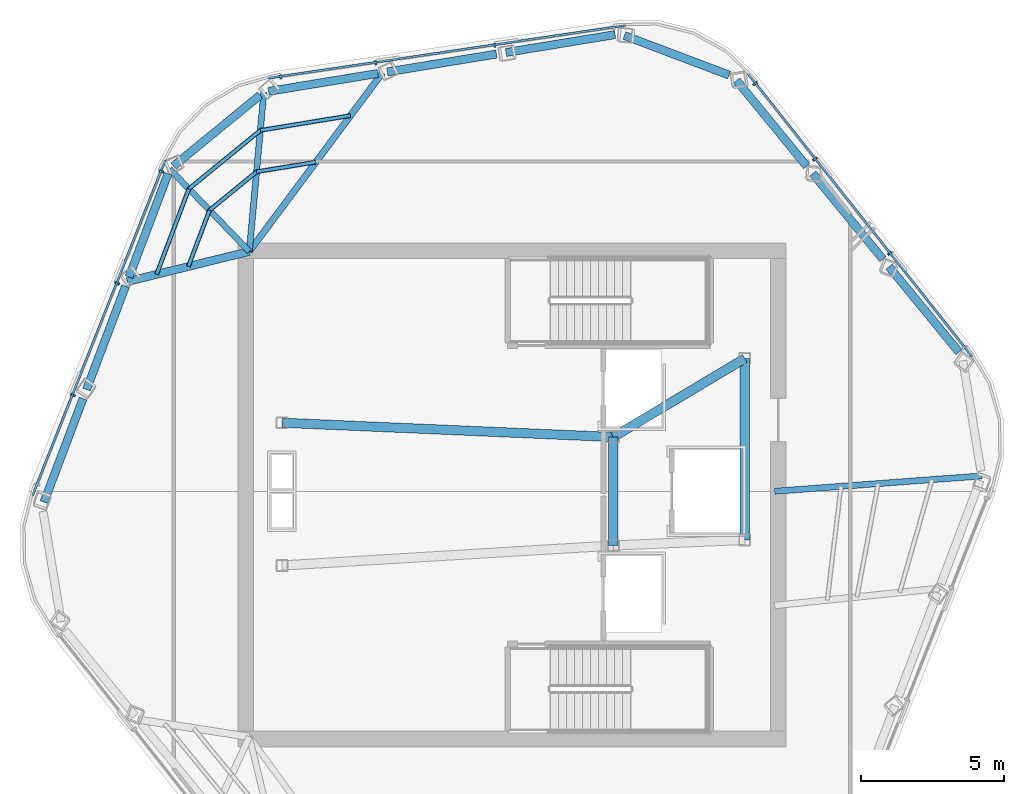
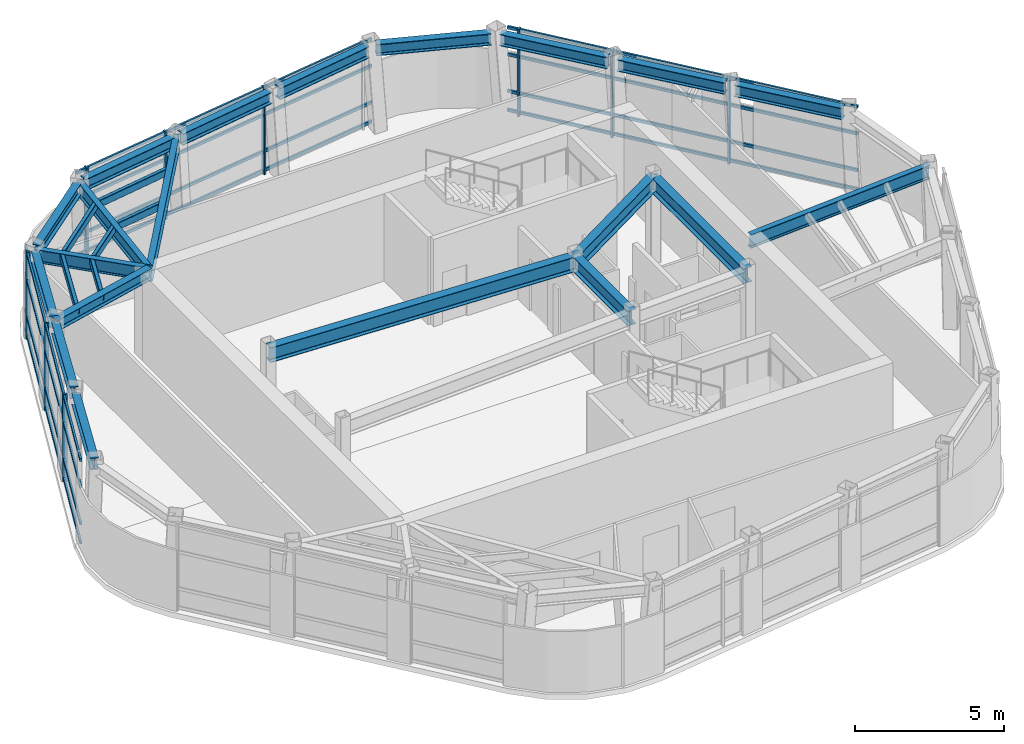
# One storey, part 3 of 9: 27 members, 20 beams, 3 elements without a shape of their own.
"""IFC4 building model written with IfcOpenShell, lengths in metres."""

from ifc_helpers import new_model, si_unit, direction, frame, origin, origin_2d, place, context, subcontext, project, spatial, rectangle, hollow_rectangle, i_section, extrude, material, layer, layer_set, material_profile, profile_set, type_object, element, aggregate, save


model = new_model("IFC4")

# Units and contexts
model_context = context("Model", 3, precision=1e-05, world=origin(), true_north=direction((0.0, 1.0)))
body_context = subcontext(model_context, "Body", "Model", "MODEL_VIEW")
ifc_project = project(units=[si_unit("LENGTHUNIT", "METRE"), si_unit("AREAUNIT", "SQUARE_METRE"), si_unit("VOLUMEUNIT", "CUBIC_METRE"), si_unit("PLANEANGLEUNIT", "RADIAN"), si_unit("MASSUNIT", "GRAM", prefix="KILO")], contexts=[model_context])

# Site, building, storey
site_placement = place(None, origin())
site = spatial("IfcSite", under=ifc_project, at=site_placement, CompositionType="ELEMENT")
building_placement = place(site_placement, origin())
building = spatial("IfcBuilding", under=site, at=building_placement, Name="Valkerne Bourse Tower", CompositionType="ELEMENT")
storey_placement = place(building_placement, frame((0.0, 0.0, 319.199951171875)))
storey = spatial("IfcBuildingStorey", under=building, at=storey_placement, Name="L81", CompositionType="ELEMENT", Elevation=319.199951171875)

# Beams
ifc_material_1 = material(Name="Steel ASTM A992", Category="steel")
ifc_material_profile_1 = material_profile(ifc_material_1, i_section(OverallWidth=0.284423828125, OverallDepth=0.47509765625, WebThickness=0.014892578125, FlangeThickness=0.02392578125, FilletRadius=0.017822265625, at=origin_2d()), Name="W18X106")
ifc_profile_set_1 = profile_set([ifc_material_profile_1], Name="Steel ASTM A992")
beam_type_1 = type_object("IfcBeamType", Name="BM-W18X106", PredefinedType="BEAM", material=ifc_profile_set_1)
for number, where, z_axis, x_axis, name in (
    (1, (50.410888671875, 42.992431640625, 3.342529296875), (-0.986855208983, -0.161606919725, 0.0), (0.161606919725, -0.986855208983, 0.0), "L81 Hexagonal Spandrel Ring Beam 00"),
    (2, (46.25439453125, 42.311767578125, 3.342529296875), (-0.986855208983, -0.161606919725, 0.0), (0.161606919725, -0.986855208983, 0.0), "L81 Hexagonal Spandrel Ring Beam 01"),
    (3, (42.09765625, 41.631103515625, 3.342529296875), (-0.986865263163, -0.161545511739, 0.0), (0.161545511739, -0.986865263163, 0.0), "L81 Hexagonal Spandrel Ring Beam 02"),
):
    element("IfcBeam", number, at=place(storey_placement, frame(where, z_axis=z_axis, x_axis=x_axis)), inside=storey, type_object=beam_type_1, Name=name, PredefinedType="BEAM", context=body_context, shape_type="SweptSolid", body=[
        extrude(i_section(OverallWidth=0.284423828125, OverallDepth=0.47509765625, WebThickness=0.014892578125, FlangeThickness=0.02392578125, FilletRadius=0.017822265625, at=origin_2d()), origin(), (0.0, 0.0, 1.0), 3.871826171875),
    ])
beam_1_placement = place(storey_placement, frame((37.977294921875, 40.870361328125, 3.342529296875), z_axis=(-0.77381838341, -0.633407538238, 0.0), x_axis=(0.633407538238, -0.77381838341, 0.0)))
element("IfcBeam", 4, at=beam_1_placement, inside=storey, type_object=beam_type_1, Name="L81 Hexagonal Spandrel Ring Beam 03", PredefinedType="BEAM", context=body_context, shape_type="SweptSolid", body=[
    extrude(i_section(OverallWidth=0.284423828125, OverallDepth=0.47509765625, WebThickness=0.014892578125, FlangeThickness=0.02392578125, FilletRadius=0.017822265625, at=origin_2d()), origin(), (0.0, 0.0, 1.0), 3.915771484375),
])
beam_2_placement = place(storey_placement, frame((34.755615234375, 38.12353515625, 3.342529296875), z_axis=(-0.353471685559, -0.935445224216, 0.0), x_axis=(0.935445224216, -0.353471685559, 0.0)))
element("IfcBeam", 5, at=beam_2_placement, inside=storey, type_object=beam_type_1, Name="L81 Hexagonal Spandrel Ring Beam 04", PredefinedType="BEAM", context=body_context, shape_type="SweptSolid", body=[
    extrude(i_section(OverallWidth=0.284423828125, OverallDepth=0.47509765625, WebThickness=0.014892578125, FlangeThickness=0.02392578125, FilletRadius=0.017822265625, at=origin_2d()), origin(), (0.0, 0.0, 1.0), 3.8720703125),
])
beam_3_placement = place(storey_placement, frame((33.2666015625, 34.183349609375, 3.342529296875), z_axis=(-0.353416509233, -0.93546607154, 0.0), x_axis=(0.93546607154, -0.353416509233, 0.0)))
element("IfcBeam", 6, at=beam_3_placement, inside=storey, type_object=beam_type_1, Name="L81 Hexagonal Spandrel Ring Beam 05", PredefinedType="BEAM", context=body_context, shape_type="SweptSolid", body=[
    extrude(i_section(OverallWidth=0.284423828125, OverallDepth=0.47509765625, WebThickness=0.014892578125, FlangeThickness=0.02392578125, FilletRadius=0.017822265625, at=origin_2d()), origin(), (0.0, 0.0, 1.0), 3.871826171875),
])
beam_4_placement = place(storey_placement, frame((31.77783203125, 30.243408203125, 3.342529296875), z_axis=(-0.353450838214, -0.935453101425, 0.0), x_axis=(0.935453101425, -0.353450838214, 0.0)))
element("IfcBeam", 7, at=beam_4_placement, inside=storey, type_object=beam_type_1, Name="L81 Hexagonal Spandrel Ring Beam 06", PredefinedType="BEAM", context=body_context, shape_type="SweptSolid", body=[
    extrude(i_section(OverallWidth=0.284423828125, OverallDepth=0.47509765625, WebThickness=0.014892578125, FlangeThickness=0.02392578125, FilletRadius=0.017822265625, at=origin_2d()), origin(), (0.0, 0.0, 1.0), 3.872314453125),
])
beam_5_placement = place(storey_placement, frame((62.455322265625, 31.869140625, 3.342529296875), z_axis=(-0.63339916281, 0.773825239025, 0.0), x_axis=(-0.773825239025, -0.63339916281, 0.0)))
element("IfcBeam", 8, at=beam_5_placement, inside=storey, type_object=beam_type_1, Name="L81 Hexagonal Spandrel Ring Beam 20", PredefinedType="BEAM", context=body_context, shape_type="SweptSolid", body=[
    extrude(i_section(OverallWidth=0.284423828125, OverallDepth=0.47509765625, WebThickness=0.014892578125, FlangeThickness=0.02392578125, FilletRadius=0.017822265625, at=origin_2d()), origin(), (0.0, 0.0, 1.0), 3.871826171875),
])
beam_6_placement = place(storey_placement, frame((59.78759765625, 35.12841796875, 3.342529296875), z_axis=(-0.633368257448, 0.773850534959, 0.0), x_axis=(-0.773850534959, -0.633368257448, 0.0)))
element("IfcBeam", 9, at=beam_6_placement, inside=storey, type_object=beam_type_1, Name="L81 Hexagonal Spandrel Ring Beam 21", PredefinedType="BEAM", context=body_context, shape_type="SweptSolid", body=[
    extrude(i_section(OverallWidth=0.284423828125, OverallDepth=0.47509765625, WebThickness=0.014892578125, FlangeThickness=0.02392578125, FilletRadius=0.017822265625, at=origin_2d()), origin(), (0.0, 0.0, 1.0), 3.8720703125),
])
beam_7_placement = place(storey_placement, frame((57.119873046875, 38.387939453125, 3.342529296875), z_axis=(-0.63339916281, 0.773825239025, 0.0), x_axis=(-0.773825239025, -0.63339916281, 0.0)))
element("IfcBeam", 10, at=beam_7_placement, inside=storey, type_object=beam_type_1, Name="L81 Hexagonal Spandrel Ring Beam 22", PredefinedType="BEAM", context=body_context, shape_type="SweptSolid", body=[
    extrude(i_section(OverallWidth=0.284423828125, OverallDepth=0.47509765625, WebThickness=0.014892578125, FlangeThickness=0.02392578125, FilletRadius=0.017822265625, at=origin_2d()), origin(), (0.0, 0.0, 1.0), 3.871826171875),
])
beam_8_placement = place(storey_placement, frame((54.400634765625, 41.57568359375, 3.342529296875), z_axis=(-0.935426738561, 0.353520603056, 0.0), x_axis=(-0.353520603056, -0.935426738561, 0.0)))
element("IfcBeam", 11, at=beam_8_placement, inside=storey, type_object=beam_type_1, Name="L81 Hexagonal Spandrel Ring Beam 23", PredefinedType="BEAM", context=body_context, shape_type="SweptSolid", body=[
    extrude(i_section(OverallWidth=0.284423828125, OverallDepth=0.47509765625, WebThickness=0.014892578125, FlangeThickness=0.02392578125, FilletRadius=0.017822265625, at=origin_2d()), origin(), (0.0, 0.0, 1.0), 3.915771484375),
])
ifc_material_profile_2 = material_profile(ifc_material_1, i_section(OverallWidth=0.279296875, OverallDepth=0.46240234375, WebThickness=0.0107421875, FlangeThickness=0.017333984375, FilletRadius=0.017822265625, at=origin_2d()), Name="W18X76")
ifc_profile_set_2 = profile_set([ifc_material_profile_2], Name="Steel ASTM A992")
beam_type_2 = type_object("IfcBeamType", Name="BM-W18X76", PredefinedType="BEAM", material=ifc_profile_set_2)
beam_9_placement = place(storey_placement, frame((33.326904296875, 34.34228515625, 3.348876953125), z_axis=(0.970710720837, 0.240251319355, 0.0), x_axis=(-0.240251319355, 0.970710720837, 0.0)))
element("IfcBeam", 12, at=beam_9_placement, inside=storey, type_object=beam_type_2, Name="L81 Radial Composite Floor Beam 05", PredefinedType="BEAM", context=body_context, shape_type="SweptSolid", body=[
    extrude(i_section(OverallWidth=0.279296875, OverallDepth=0.46240234375, WebThickness=0.0107421875, FlangeThickness=0.017333984375, FilletRadius=0.017822265625, at=origin_2d()), origin(), (0.0, 0.0, 1.0), 4.402099609375),
])
ifc_material_profile_3 = material_profile(ifc_material_1, i_section(OverallWidth=0.209228515625, OverallDepth=0.533447265625, WebThickness=0.01025390625, FlangeThickness=0.015625, FilletRadius=0.017822265625, at=origin_2d()), Name="W21X62")
ifc_profile_set_3 = profile_set([ifc_material_profile_3], Name="Steel ASTM A992")
beam_type_3 = type_object("IfcBeamType", Name="BM-W21X62", PredefinedType="JOIST", material=ifc_profile_set_3)
beam_10_placement = place(storey_placement, frame((34.815673828125, 38.282470703125, 3.313232421875), z_axis=(0.694756478637, -0.719245045442, 0.0), x_axis=(0.719245045442, 0.694756478637, 0.0)))
element("IfcBeam", 13, at=beam_10_placement, inside=storey, type_object=beam_type_3, Name="L81 Radial Composite Floor Beam 04", PredefinedType="JOIST", context=body_context, shape_type="SweptSolid", body=[
    extrude(i_section(OverallWidth=0.209228515625, OverallDepth=0.533447265625, WebThickness=0.01025390625, FlangeThickness=0.015625, FilletRadius=0.017822265625, at=origin_2d()), origin(), (0.0, 0.0, 1.0), 4.0078125),
])
ifc_material_profile_4 = material_profile(ifc_material_1, i_section(OverallWidth=0.2138671875, OverallDepth=0.548583984375, WebThickness=0.0146484375, FlangeThickness=0.023681640625, FilletRadius=0.017822265625, at=origin_2d()), Name="W21X93")
ifc_profile_set_4 = profile_set([ifc_material_profile_4], Name="Steel ASTM A992")
beam_type_4 = type_object("IfcBeamType", Name="BM-W21X93", PredefinedType="BEAM", material=ifc_profile_set_4)
beam_11_placement = place(storey_placement, frame((38.10888671875, 40.97802734375, 3.3056640625), z_axis=(-0.090834417173, -0.995866009389, 0.0), x_axis=(0.995866009389, -0.090834417173, 0.0)))
element("IfcBeam", 14, at=beam_11_placement, inside=storey, type_object=beam_type_4, Name="L81 Radial Composite Floor Beam 03", PredefinedType="BEAM", context=body_context, shape_type="SweptSolid", body=[
    extrude(i_section(OverallWidth=0.2138671875, OverallDepth=0.548583984375, WebThickness=0.0146484375, FlangeThickness=0.023681640625, FilletRadius=0.017822265625, at=origin_2d()), origin(), (0.0, 0.0, 1.0), 5.601318359375),
])
beam_12_placement = place(storey_placement, frame((63.250732421875, 27.537841796875, 3.3056640625), z_axis=(-0.997260144671, -0.073974345894, 0.0), x_axis=(0.073974345894, -0.997260144671, 0.0)))
element("IfcBeam", 15, at=beam_12_placement, inside=storey, type_object=beam_type_4, Name="L81 Radial Composite Floor Beam 19", PredefinedType="BEAM", context=body_context, shape_type="SweptSolid", body=[
    extrude(i_section(OverallWidth=0.2138671875, OverallDepth=0.548583984375, WebThickness=0.0146484375, FlangeThickness=0.023681640625, FilletRadius=0.017822265625, at=origin_2d()), origin(), (0.0, 0.0, 1.0), 7.270751953125),
])
ifc_material_profile_5 = material_profile(ifc_material_1, i_section(OverallWidth=0.3251953125, OverallDepth=0.612060546875, WebThickness=0.0126953125, FlangeThickness=0.01904296875, FilletRadius=0.020263671875, at=origin_2d()), Name="W24X104")
ifc_profile_set_5 = profile_set([ifc_material_profile_5], Name="Steel ASTM A992")
beam_type_5 = type_object("IfcBeamType", Name="BM-W24X104", PredefinedType="BEAM", material=ifc_profile_set_5)
beam_13_placement = place(storey_placement, frame((50.35009765625, 25.10009765625, 3.27392578125), z_axis=(0.0, 1.0, 0.0), x_axis=(-1.0, 0.0, 0.0)))
element("IfcBeam", 16, at=beam_13_placement, inside=storey, type_object=beam_type_5, Name="L81 Core Frame Girder CG-CE", PredefinedType="BEAM", context=body_context, shape_type="SweptSolid", body=[
    extrude(i_section(OverallWidth=0.3251953125, OverallDepth=0.612060546875, WebThickness=0.0126953125, FlangeThickness=0.01904296875, FilletRadius=0.020263671875, at=origin_2d()), origin(), (0.0, 0.0, 1.0), 3.7998046875),
])
beam_14_placement = place(storey_placement, frame((50.35009765625, 28.89990234375, 3.27392578125), z_axis=(0.858307823492, 0.513135148019, 0.0), x_axis=(-0.513135148019, 0.858307823492, 0.0)))
element("IfcBeam", 17, at=beam_14_placement, inside=storey, type_object=beam_type_5, Name="L81 Core Frame Girder CG-NE", PredefinedType="BEAM", context=body_context, shape_type="SweptSolid", body=[
    extrude(i_section(OverallWidth=0.3251953125, OverallDepth=0.612060546875, WebThickness=0.0126953125, FlangeThickness=0.01904296875, FilletRadius=0.020263671875, at=origin_2d()), origin(), (0.0, 0.0, 1.0), 5.359130859375),
])
beam_15_placement = place(storey_placement, frame((54.949951171875, 25.300048828125, 3.27392578125), z_axis=(0.0, 1.0, 0.0), x_axis=(-1.0, 0.0, 0.0)))
element("IfcBeam", 18, at=beam_15_placement, inside=storey, type_object=beam_type_5, Name="L81 Core Frame Girder CG-EE", PredefinedType="BEAM", context=body_context, shape_type="SweptSolid", body=[
    extrude(i_section(OverallWidth=0.3251953125, OverallDepth=0.612060546875, WebThickness=0.0126953125, FlangeThickness=0.01904296875, FilletRadius=0.020263671875, at=origin_2d()), origin(), (0.0, 0.0, 1.0), 6.349853515625),
])
beam_16_placement = place(storey_placement, frame((38.75, 29.39990234375, 3.27392578125), z_axis=(0.999072354402, -0.043063101019, 0.0), x_axis=(0.043063101019, 0.999072354402, 0.0)))
element("IfcBeam", 19, at=beam_16_placement, inside=storey, type_object=beam_type_5, Name="L81 Core Frame Girder CG-NW", PredefinedType="BEAM", context=body_context, shape_type="SweptSolid", body=[
    extrude(i_section(OverallWidth=0.3251953125, OverallDepth=0.612060546875, WebThickness=0.0126953125, FlangeThickness=0.01904296875, FilletRadius=0.020263671875, at=origin_2d()), origin(), (0.0, 0.0, 1.0), 11.61083984375),
])
ifc_material_profile_6 = material_profile(ifc_material_1, i_section(OverallWidth=0.228271484375, OverallDepth=0.607177734375, WebThickness=0.01123046875, FlangeThickness=0.017333984375, FilletRadius=0.017822265625, at=origin_2d()), Name="W24X76")
ifc_profile_set_6 = profile_set([ifc_material_profile_6], Name="Steel ASTM A992")
beam_type_6 = type_object("IfcBeamType", Name="BM-W24X76", PredefinedType="JOIST", material=ifc_profile_set_6)
beam_17_placement = place(storey_placement, frame((42.265380859375, 41.65869140625, 3.2763671875), z_axis=(-0.597635491061, -0.801767933897, 0.0), x_axis=(0.801767933897, -0.597635491061, 0.0)))
element("IfcBeam", 20, at=beam_17_placement, inside=storey, type_object=beam_type_6, Name="L81 Radial Composite Floor Beam 02", PredefinedType="JOIST", context=body_context, shape_type="SweptSolid", body=[
    extrude(i_section(OverallWidth=0.228271484375, OverallDepth=0.607177734375, WebThickness=0.01123046875, FlangeThickness=0.017333984375, FilletRadius=0.017822265625, at=origin_2d()), origin(), (0.0, 0.0, 1.0), 7.80615234375),
])

# Curtain wall, members
ifc_material_2 = material(Name="Aluminium AA 6063-T6", Category="aluminium")
ifc_layer = layer(ifc_material_2, 0.25)
ifc_layer_set = layer_set([ifc_layer], Name="Aluminium AA 6063-T6")
curtain_wall_type = type_object("IfcCurtainWallType", Name="CW-06", PredefinedType="NOTDEFINED", material=ifc_layer_set)
curtain_wall_1_placement = place(storey_placement, origin())
curtain_wall_1 = element("IfcCurtainWall", 21, at=curtain_wall_1_placement, inside=storey, type_object=curtain_wall_type, Name="L81 Hexagonal Stick Curtain Wall Face 1", PredefinedType="NOTDEFINED")
ifc_material_profile_7 = material_profile(ifc_material_2, rectangle(XDim=0.074951171875, YDim=0.159912109375, at=origin_2d()), Name="CWM-75X160")
ifc_profile_set_7 = profile_set([ifc_material_profile_7], Name="Aluminium AA 6063-T6")
member_type_1 = type_object("IfcMemberType", Name="CW-MUL-160X75", PredefinedType="MULLION", material=ifc_profile_set_7)
member_1_placement = place(storey_placement, frame((46.197998046875, 42.618408203125, 0.0), z_axis=(0.0, 0.0, 1.0), x_axis=(-0.989272315516, -0.146083146714, 0.0)))
member_1 = element("IfcMember", 22, at=member_1_placement, type_object=member_type_1, Name="CW-L81-F1 Jamb Mullion 01A", PredefinedType="MULLION", context=body_context, shape_type="SweptSolid", body=[
    extrude(rectangle(XDim=0.074951171875, YDim=0.159912109375, at=origin_2d()), origin(), (0.0, 0.0, 1.0), 3.580078125),
])
member_2_placement = place(storey_placement, frame((42.031005859375, 42.0029296875, 0.0), z_axis=(0.0, 0.0, 1.0), x_axis=(-0.989272315516, -0.146083146714, 0.0)))
member_2 = element("IfcMember", 23, at=member_2_placement, type_object=member_type_1, Name="CW-L81-F1 Jamb Mullion 02A", PredefinedType="MULLION", context=body_context, shape_type="SweptSolid", body=[
    extrude(rectangle(XDim=0.074951171875, YDim=0.159912109375, at=origin_2d()), origin(), (0.0, 0.0, 1.0), 3.580078125),
])
member_3_placement = place(storey_placement, frame((38.6953125, 41.510498046875, 0.0), z_axis=(0.0, 0.0, 1.0), x_axis=(-0.989272315516, -0.146083146714, 0.0)))
member_3 = element("IfcMember", 24, at=member_3_placement, type_object=member_type_1, Name="CW-L81-F1 Jamb Mullion 02B", PredefinedType="MULLION", context=body_context, shape_type="SweptSolid", body=[
    extrude(rectangle(XDim=0.074951171875, YDim=0.159912109375, at=origin_2d()), origin(), (0.0, 0.0, 1.0), 3.580078125),
])

curtain_wall_2_placement = place(storey_placement, origin())
curtain_wall_2 = element("IfcCurtainWall", 25, at=curtain_wall_2_placement, inside=storey, type_object=curtain_wall_type, Name="L81 Hexagonal Stick Curtain Wall Face 2", PredefinedType="NOTDEFINED")
member_4_placement = place(storey_placement, frame((34.523681640625, 38.2041015625, 0.0), z_axis=(0.0, 0.0, 1.0), x_axis=(-0.368130122677, -0.929774280553, 0.0)))
member_4 = element("IfcMember", 26, at=member_4_placement, type_object=member_type_1, Name="CW-L81-F2 Jamb Mullion 00A", PredefinedType="MULLION", context=body_context, shape_type="SweptSolid", body=[
    extrude(rectangle(XDim=0.074951171875, YDim=0.159912109375, at=origin_2d()), origin(), (0.0, 0.0, 1.0), 3.580078125),
])
member_5_placement = place(storey_placement, frame((32.97314453125, 34.287841796875, 0.0), z_axis=(0.0, 0.0, 1.0), x_axis=(-0.368117724578, -0.929779189298, 0.0)))
member_5 = element("IfcMember", 27, at=member_5_placement, type_object=member_type_1, Name="CW-L81-F2 Jamb Mullion 01A", PredefinedType="MULLION", context=body_context, shape_type="SweptSolid", body=[
    extrude(rectangle(XDim=0.074951171875, YDim=0.159912109375, at=origin_2d()), origin(), (0.0, 0.0, 1.0), 3.580078125),
])
member_6_placement = place(storey_placement, frame((31.422607421875, 30.37158203125, 0.0), z_axis=(0.0, 0.0, 1.0), x_axis=(-0.368117724578, -0.929779189298, 0.0)))
member_6 = element("IfcMember", 28, at=member_6_placement, type_object=member_type_1, Name="CW-L81-F2 Jamb Mullion 02A", PredefinedType="MULLION", context=body_context, shape_type="SweptSolid", body=[
    extrude(rectangle(XDim=0.074951171875, YDim=0.159912109375, at=origin_2d()), origin(), (0.0, 0.0, 1.0), 3.580078125),
])

curtain_wall_3_placement = place(storey_placement, origin())
curtain_wall_3 = element("IfcCurtainWall", 29, at=curtain_wall_3_placement, inside=storey, type_object=curtain_wall_type, Name="L81 Hexagonal Stick Curtain Wall Face 6", PredefinedType="NOTDEFINED")
member_7_placement = place(storey_placement, frame((60.02490234375, 35.33056640625, 0.0), z_axis=(0.0, 0.0, 1.0), x_axis=(-0.621153452268, 0.783688961729, 0.0)))
member_7 = element("IfcMember", 30, at=member_7_placement, type_object=member_type_1, Name="CW-L81-F6 Jamb Mullion 01A", PredefinedType="MULLION", context=body_context, shape_type="SweptSolid", body=[
    extrude(rectangle(XDim=0.074951171875, YDim=0.159912109375, at=origin_2d()), origin(), (0.0, 0.0, 1.0), 3.580078125),
])
member_8_placement = place(storey_placement, frame((57.40869140625, 38.63134765625, 0.0), z_axis=(0.0, 0.0, 1.0), x_axis=(-0.621153452268, 0.783688961729, 0.0)))
member_8 = element("IfcMember", 31, at=member_8_placement, type_object=member_type_1, Name="CW-L81-F6 Jamb Mullion 02A", PredefinedType="MULLION", context=body_context, shape_type="SweptSolid", body=[
    extrude(rectangle(XDim=0.074951171875, YDim=0.159912109375, at=origin_2d()), origin(), (0.0, 0.0, 1.0), 3.580078125),
])
member_9_placement = place(storey_placement, frame((55.31396484375, 41.27392578125, 0.0), z_axis=(0.0, 0.0, 1.0), x_axis=(-0.621153452268, 0.783688961729, 0.0)))
member_9 = element("IfcMember", 32, at=member_9_placement, type_object=member_type_1, Name="CW-L81-F6 Jamb Mullion 02B", PredefinedType="MULLION", context=body_context, shape_type="SweptSolid", body=[
    extrude(rectangle(XDim=0.074951171875, YDim=0.159912109375, at=origin_2d()), origin(), (0.0, 0.0, 1.0), 3.580078125),
])

# Member
ifc_material_profile_8 = material_profile(ifc_material_2, rectangle(XDim=0.074951171875, YDim=0.1201171875, at=origin_2d()), Name="CWT-75X120")
ifc_profile_set_8 = profile_set([ifc_material_profile_8], Name="Aluminium AA 6063-T6")
member_type_2 = type_object("IfcMemberType", Name="CW-TRN-120X75", PredefinedType="USERDEFINED", material=ifc_profile_set_8)
member_10_placement = place(storey_placement, frame((50.77734375, 43.314697265625, 0.1201171875), z_axis=(-0.989271924037, -0.146085797774, 0.0), x_axis=(0.146085797774, -0.989271924037, 0.0)))
member_10 = element("IfcMember", 33, at=member_10_placement, type_object=member_type_2, Name="CW-L81-F1 Continuous Face Transom 1", ObjectType="TRANSOM", PredefinedType="USERDEFINED", context=body_context, shape_type="SweptSolid", body=[
    extrude(rectangle(XDim=0.074951171875, YDim=0.1201171875, at=origin_2d()), origin(), (0.0, 0.0, 1.0), 12.635986328125),
])

member_11_placement = place(storey_placement, frame((50.77734375, 43.314697265625, 0.900146484375), z_axis=(-0.989271924037, -0.146085797774, 0.0), x_axis=(0.146085797774, -0.989271924037, 0.0)))
member_11 = element("IfcMember", 34, at=member_11_placement, type_object=member_type_2, Name="CW-L81-F1 Continuous Face Transom 2", ObjectType="TRANSOM", PredefinedType="USERDEFINED", context=body_context, shape_type="SweptSolid", body=[
    extrude(rectangle(XDim=0.074951171875, YDim=0.1201171875, at=origin_2d()), origin(), (0.0, 0.0, 1.0), 12.635986328125),
])

member_12_placement = place(storey_placement, frame((50.77734375, 43.314697265625, 2.400146484375), z_axis=(-0.989271924037, -0.146085797774, 0.0), x_axis=(0.146085797774, -0.989271924037, 0.0)))
member_12 = element("IfcMember", 35, at=member_12_placement, type_object=member_type_2, Name="CW-L81-F1 Continuous Face Transom 3", ObjectType="TRANSOM", PredefinedType="USERDEFINED", context=body_context, shape_type="SweptSolid", body=[
    extrude(rectangle(XDim=0.074951171875, YDim=0.1201171875, at=origin_2d()), origin(), (0.0, 0.0, 1.0), 12.635986328125),
])

member_13_placement = place(storey_placement, frame((50.77734375, 43.314697265625, 3.5), z_axis=(-0.989271924037, -0.146085797774, 0.0), x_axis=(0.146085797774, -0.989271924037, 0.0)))
member_13 = element("IfcMember", 36, at=member_13_placement, type_object=member_type_2, Name="CW-L81-F1 Continuous Face Transom 4", ObjectType="TRANSOM", PredefinedType="USERDEFINED", context=body_context, shape_type="SweptSolid", body=[
    extrude(rectangle(XDim=0.074951171875, YDim=0.1201171875, at=origin_2d()), origin(), (0.0, 0.0, 1.0), 12.635986328125),
])

aggregate(curtain_wall_1, [member_10, member_11, member_12, member_13, member_1, member_2, member_3])

member_14_placement = place(storey_placement, frame((34.65966796875, 38.601806640625, 0.1201171875), z_axis=(-0.368127097546, -0.929775478302, 0.0), x_axis=(0.929775478302, -0.368127097546, 0.0)))
member_14 = element("IfcMember", 37, at=member_14_placement, type_object=member_type_2, Name="CW-L81-F2 Continuous Face Transom 1", ObjectType="TRANSOM", PredefinedType="USERDEFINED", context=body_context, shape_type="SweptSolid", body=[
    extrude(rectangle(XDim=0.074951171875, YDim=0.1201171875, at=origin_2d()), origin(), (0.0, 0.0, 1.0), 12.635986328125),
])

member_15_placement = place(storey_placement, frame((34.65966796875, 38.601806640625, 0.900146484375), z_axis=(-0.368127097546, -0.929775478302, 0.0), x_axis=(0.929775478302, -0.368127097546, 0.0)))
member_15 = element("IfcMember", 38, at=member_15_placement, type_object=member_type_2, Name="CW-L81-F2 Continuous Face Transom 2", ObjectType="TRANSOM", PredefinedType="USERDEFINED", context=body_context, shape_type="SweptSolid", body=[
    extrude(rectangle(XDim=0.074951171875, YDim=0.1201171875, at=origin_2d()), origin(), (0.0, 0.0, 1.0), 12.635986328125),
])

member_16_placement = place(storey_placement, frame((34.65966796875, 38.601806640625, 2.400146484375), z_axis=(-0.368127097546, -0.929775478302, 0.0), x_axis=(0.929775478302, -0.368127097546, 0.0)))
member_16 = element("IfcMember", 39, at=member_16_placement, type_object=member_type_2, Name="CW-L81-F2 Continuous Face Transom 3", ObjectType="TRANSOM", PredefinedType="USERDEFINED", context=body_context, shape_type="SweptSolid", body=[
    extrude(rectangle(XDim=0.074951171875, YDim=0.1201171875, at=origin_2d()), origin(), (0.0, 0.0, 1.0), 12.635986328125),
])

member_17_placement = place(storey_placement, frame((34.65966796875, 38.601806640625, 3.5), z_axis=(-0.368127097546, -0.929775478302, 0.0), x_axis=(0.929775478302, -0.368127097546, 0.0)))
member_17 = element("IfcMember", 40, at=member_17_placement, type_object=member_type_2, Name="CW-L81-F2 Continuous Face Transom 4", ObjectType="TRANSOM", PredefinedType="USERDEFINED", context=body_context, shape_type="SweptSolid", body=[
    extrude(rectangle(XDim=0.074951171875, YDim=0.1201171875, at=origin_2d()), origin(), (0.0, 0.0, 1.0), 12.635986328125),
])

aggregate(curtain_wall_2, [member_14, member_15, member_16, member_17, member_4, member_5, member_6])

member_18_placement = place(storey_placement, frame((62.917724609375, 31.712890625, 0.1201171875), z_axis=(-0.621156651015, 0.783686426385, 0.0), x_axis=(-0.783686426385, -0.621156651015, 0.0)))
member_18 = element("IfcMember", 41, at=member_18_placement, type_object=member_type_2, Name="CW-L81-F6 Continuous Face Transom 1", ObjectType="TRANSOM", PredefinedType="USERDEFINED", context=body_context, shape_type="SweptSolid", body=[
    extrude(rectangle(XDim=0.074951171875, YDim=0.1201171875, at=origin_2d()), origin(), (0.0, 0.0, 1.0), 12.635986328125),
])

member_19_placement = place(storey_placement, frame((62.917724609375, 31.712890625, 0.900146484375), z_axis=(-0.621156651015, 0.783686426385, 0.0), x_axis=(-0.783686426385, -0.621156651015, 0.0)))
member_19 = element("IfcMember", 42, at=member_19_placement, type_object=member_type_2, Name="CW-L81-F6 Continuous Face Transom 2", ObjectType="TRANSOM", PredefinedType="USERDEFINED", context=body_context, shape_type="SweptSolid", body=[
    extrude(rectangle(XDim=0.074951171875, YDim=0.1201171875, at=origin_2d()), origin(), (0.0, 0.0, 1.0), 12.635986328125),
])

member_20_placement = place(storey_placement, frame((62.917724609375, 31.712890625, 2.400146484375), z_axis=(-0.621156651015, 0.783686426385, 0.0), x_axis=(-0.783686426385, -0.621156651015, 0.0)))
member_20 = element("IfcMember", 43, at=member_20_placement, type_object=member_type_2, Name="CW-L81-F6 Continuous Face Transom 3", ObjectType="TRANSOM", PredefinedType="USERDEFINED", context=body_context, shape_type="SweptSolid", body=[
    extrude(rectangle(XDim=0.074951171875, YDim=0.1201171875, at=origin_2d()), origin(), (0.0, 0.0, 1.0), 12.635986328125),
])

member_21_placement = place(storey_placement, frame((62.917724609375, 31.712890625, 3.5), z_axis=(-0.621156651015, 0.783686426385, 0.0), x_axis=(-0.783686426385, -0.621156651015, 0.0)))
member_21 = element("IfcMember", 44, at=member_21_placement, type_object=member_type_2, Name="CW-L81-F6 Continuous Face Transom 4", ObjectType="TRANSOM", PredefinedType="USERDEFINED", context=body_context, shape_type="SweptSolid", body=[
    extrude(rectangle(XDim=0.074951171875, YDim=0.1201171875, at=origin_2d()), origin(), (0.0, 0.0, 1.0), 12.635986328125),
])

aggregate(curtain_wall_3, [member_18, member_19, member_20, member_21, member_7, member_8, member_9])

# Members
ifc_material_3 = material(Name="Steel ASTM A500 Grade C", Category="steel")
ifc_material_profile_9 = material_profile(ifc_material_3, hollow_rectangle(XDim=0.14990234375, YDim=0.300048828125, WallThickness=0.012451171875, OuterFilletRadius=0.02490234375, at=origin_2d()), Name="HSS300X150X12.5")
ifc_profile_set_9 = profile_set([ifc_material_profile_9], Name="Steel ASTM A500 Grade C")
member_type_3 = type_object("IfcMemberType", Name="MBR-HSS300X150X12.5", PredefinedType="PURLIN", material=ifc_profile_set_9)
member_22_placement = place(storey_placement, frame((39.9326171875, 38.529296875, 3.420166015625), z_axis=(-0.986853746384, -0.161615850853, 0.0), x_axis=(0.161615850853, -0.986853746384, 0.0)))
element("IfcMember", 45, at=member_22_placement, inside=storey, type_object=member_type_3, Name="L81 Secondary Composite Floor Purlin M-02", PredefinedType="PURLIN", context=body_context, shape_type="SweptSolid", body=[
    extrude(hollow_rectangle(XDim=0.14990234375, YDim=0.300048828125, WallThickness=0.012451171875, OuterFilletRadius=0.02490234375, at=origin_2d()), origin(), (0.0, 0.0, 1.0), 2.105712890625),
])
member_23_placement = place(storey_placement, frame((37.8544921875, 38.18896484375, 3.420166015625), z_axis=(-0.773834587954, -0.63338774103, 0.0), x_axis=(0.63338774103, -0.773834587954, 0.0)))
element("IfcMember", 46, at=member_23_placement, inside=storey, type_object=member_type_3, Name="L81 Secondary Composite Floor Purlin M-03", PredefinedType="PURLIN", context=body_context, shape_type="SweptSolid", body=[
    extrude(hollow_rectangle(XDim=0.14990234375, YDim=0.300048828125, WallThickness=0.012451171875, OuterFilletRadius=0.02490234375, at=origin_2d()), origin(), (0.0, 0.0, 1.0), 2.127685546875),
])
member_24_placement = place(storey_placement, frame((36.2080078125, 36.84130859375, 3.420166015625), z_axis=(-0.353535814001, -0.935420989832, 0.0), x_axis=(0.935420989832, -0.353535814001, 0.0)))
element("IfcMember", 47, at=member_24_placement, inside=storey, type_object=member_type_3, Name="L81 Secondary Composite Floor Purlin M-04", PredefinedType="PURLIN", context=body_context, shape_type="SweptSolid", body=[
    extrude(hollow_rectangle(XDim=0.14990234375, YDim=0.300048828125, WallThickness=0.012451171875, OuterFilletRadius=0.02490234375, at=origin_2d()), origin(), (0.0, 0.0, 1.0), 2.106201171875),
])
member_25_placement = place(storey_placement, frame((41.145751953125, 40.156494140625, 3.420166015625), z_axis=(-0.986865962368, -0.161541240304, 0.0), x_axis=(0.161541240304, -0.986865962368, 0.0)))
element("IfcMember", 48, at=member_25_placement, inside=storey, type_object=member_type_3, Name="L81 Secondary Composite Floor Purlin O-02", PredefinedType="PURLIN", context=body_context, shape_type="SweptSolid", body=[
    extrude(hollow_rectangle(XDim=0.14990234375, YDim=0.300048828125, WallThickness=0.012451171875, OuterFilletRadius=0.02490234375, at=origin_2d()), origin(), (0.0, 0.0, 1.0), 3.200927734375),
])
member_26_placement = place(storey_placement, frame((37.98681640625, 39.639404296875, 3.420166015625), z_axis=(-0.773846305662, -0.633373424777, 0.0), x_axis=(0.633373424777, -0.773846305662, 0.0)))
element("IfcMember", 49, at=member_26_placement, inside=storey, type_object=member_type_3, Name="L81 Secondary Composite Floor Purlin O-03", PredefinedType="PURLIN", context=body_context, shape_type="SweptSolid", body=[
    extrude(hollow_rectangle(XDim=0.14990234375, YDim=0.300048828125, WallThickness=0.012451171875, OuterFilletRadius=0.02490234375, at=origin_2d()), origin(), (0.0, 0.0, 1.0), 3.234375),
])
member_27_placement = place(storey_placement, frame((35.48388671875, 37.5908203125, 3.420166015625), z_axis=(-0.35347917047, -0.935442395898, 0.0), x_axis=(0.935442395898, -0.35347917047, 0.0)))
element("IfcMember", 50, at=member_27_placement, inside=storey, type_object=member_type_3, Name="L81 Secondary Composite Floor Purlin O-04", PredefinedType="PURLIN", context=body_context, shape_type="SweptSolid", body=[
    extrude(hollow_rectangle(XDim=0.14990234375, YDim=0.300048828125, WallThickness=0.012451171875, OuterFilletRadius=0.02490234375, at=origin_2d()), origin(), (0.0, 0.0, 1.0), 3.201416015625),
])

save(model, "model.ifc")
